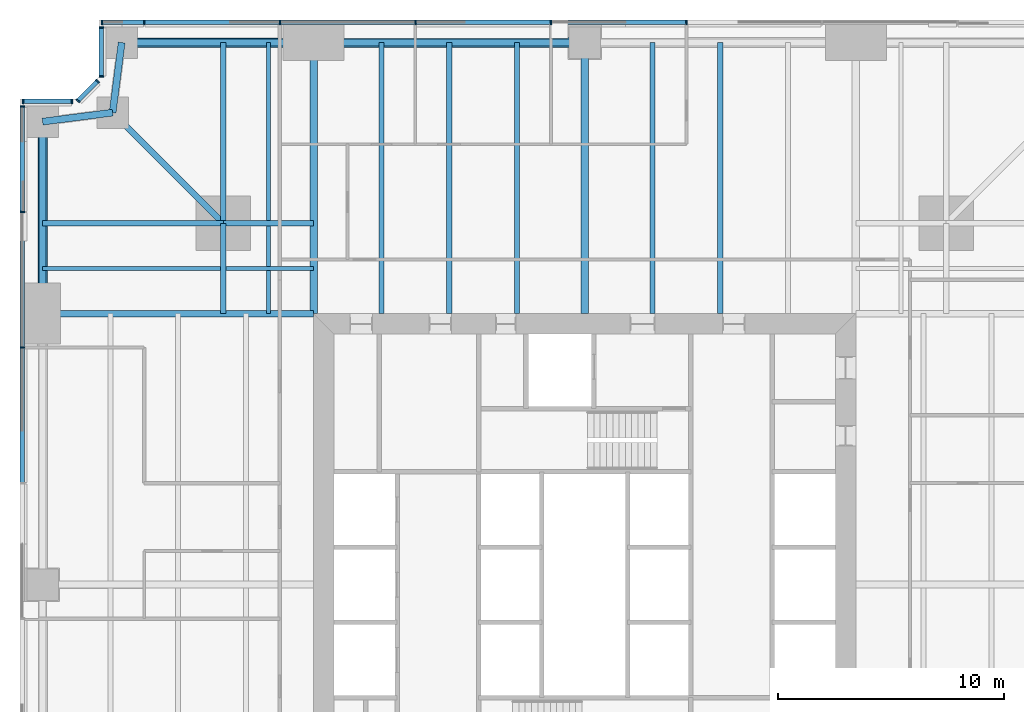
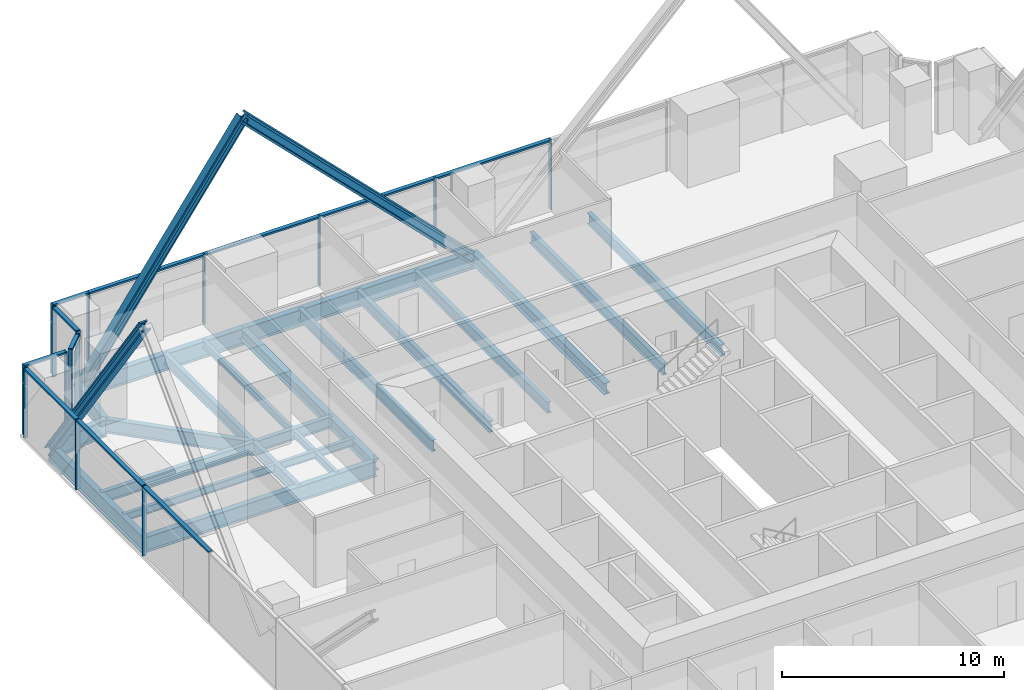
# One storey, part 6 of 13: 29 members, 23 beams, 5 elements without a shape of their own.
"""IFC4 building model written with IfcOpenShell, lengths in metres."""

from ifc_helpers import new_model, si_unit, direction, frame, origin, origin_2d, place, context, subcontext, project, spatial, rectangle, i_section, extrude, material, material_profile, profile_set, type_object, element, aggregate, save


model = new_model("IFC4")

# Units and contexts
model_context = context("Model", 3, precision=1e-05, world=origin(), true_north=direction((0.0, 1.0)))
body_context = subcontext(model_context, "Body", "Model", "MODEL_VIEW")
ifc_project = project(units=[si_unit("LENGTHUNIT", "METRE"), si_unit("AREAUNIT", "SQUARE_METRE"), si_unit("VOLUMEUNIT", "CUBIC_METRE"), si_unit("PLANEANGLEUNIT", "RADIAN"), si_unit("MASSUNIT", "GRAM", prefix="KILO")], contexts=[model_context])

# Site, building, storey
site_placement = place(None, origin())
site = spatial("IfcSite", under=ifc_project, at=site_placement, CompositionType="ELEMENT")
building_placement = place(site_placement, origin())
building = spatial("IfcBuilding", under=site, at=building_placement, Name="Fenwick Lantern Interchange", CompositionType="ELEMENT")
storey_placement = place(building_placement, frame((0.0, 0.0, 67.0)))
storey = spatial("IfcBuildingStorey", under=building, at=storey_placement, Name="L15", CompositionType="ELEMENT", Elevation=67.0)

# Beams
ifc_material_1 = material(Name="Steel ASTM A992 Grade 50", Category="steel")
ifc_material_profile_1 = material_profile(ifc_material_1, i_section(OverallWidth=0.3046875, OverallDepth=0.911865234375, WebThickness=0.015869140625, FlangeThickness=0.02392578125, at=origin_2d()), Name="W36X150")
ifc_profile_set_1 = profile_set([ifc_material_profile_1], Name="Steel ASTM A992 Grade 50")
beam_type_1 = type_object("IfcBeamType", Name="EDGE BEAM W36X150", PredefinedType="SPANDREL", material=ifc_profile_set_1)
beam_1_placement = place(storey_placement, frame((25.0, 49.0, -0.60595703125), z_axis=(-1.0, 0.0, 0.0), x_axis=(0.0, -1.0, 0.0)))
element("IfcBeam", 1, at=beam_1_placement, inside=storey, type_object=beam_type_1, Name="L15/FR/N/EB3", PredefinedType="SPANDREL", context=body_context, shape_type="SweptSolid", body=[
    extrude(i_section(OverallWidth=0.3046875, OverallDepth=0.911865234375, WebThickness=0.015869140625, FlangeThickness=0.02392578125, at=origin_2d()), origin(), (0.0, 0.0, 1.0), 12.0),
])
beam_2_placement = place(storey_placement, frame((13.0, 49.0, -0.60595703125), z_axis=(-1.0, 0.0, 0.0), x_axis=(0.0, -1.0, 0.0)))
element("IfcBeam", 2, at=beam_2_placement, inside=storey, type_object=beam_type_1, Name="L15/FR/N/EB4", PredefinedType="SPANDREL", context=body_context, shape_type="SweptSolid", body=[
    extrude(i_section(OverallWidth=0.3046875, OverallDepth=0.911865234375, WebThickness=0.015869140625, FlangeThickness=0.02392578125, at=origin_2d()), origin(), (0.0, 0.0, 1.0), 8.5),
])
for number, where, z_axis, x_axis, name in (
    (3, (4.5, 49.0, -0.60595703125), (-0.127936641807, -0.991782342897, 0.0), (0.991782342897, -0.127936641807, 0.0), "L15/FR/N/EBR1"),
    (4, (4.10009765625, 45.89990234375, -0.60595703125), (-0.991782342897, -0.127936641807, 0.0), (0.127936641807, -0.991782342897, 0.0), "L15/FR/N/EBR2"),
):
    element("IfcBeam", number, at=place(storey_placement, frame(where, z_axis=z_axis, x_axis=x_axis)), inside=storey, type_object=beam_type_1, Name=name, PredefinedType="SPANDREL", context=body_context, shape_type="SweptSolid", body=[
        extrude(i_section(OverallWidth=0.3046875, OverallDepth=0.911865234375, WebThickness=0.015869140625, FlangeThickness=0.02392578125, at=origin_2d()), origin(), (0.0, 0.0, 1.0), 3.125732421875),
    ])
beam_3_placement = place(storey_placement, frame((1.0, 45.5, -0.60595703125), z_axis=(0.0, -1.0, 0.0), x_axis=(1.0, 0.0, 0.0)))
element("IfcBeam", 5, at=beam_3_placement, inside=storey, type_object=beam_type_1, Name="L15/FR/W/EB1", PredefinedType="SPANDREL", context=body_context, shape_type="SweptSolid", body=[
    extrude(i_section(OverallWidth=0.3046875, OverallDepth=0.911865234375, WebThickness=0.015869140625, FlangeThickness=0.02392578125, at=origin_2d()), origin(), (0.0, 0.0, 1.0), 8.5),
])

# Members
ifc_material_profile_2 = material_profile(ifc_material_1, i_section(OverallWidth=0.424072265625, OverallDepth=0.47509765625, WebThickness=0.0478515625, FlangeThickness=0.0771484375, at=origin_2d()), Name="W14X426")
ifc_profile_set_2 = profile_set([ifc_material_profile_2], Name="Steel ASTM A992 Grade 50")
member_type_1 = type_object("IfcMemberType", Name="FACADE BRACE W14X426", PredefinedType="BRACE", material=ifc_profile_set_2)
for number, where, z_axis, x_axis, name in (
    (6, (4.5, 49.0, -0.60595703125), (0.57801734078, 0.0, 0.816024481102), (0.0, 1.0, 0.0), "L15/FB/N/BE"),
    (7, (1.0, 45.5, -0.60595703125), (0.0, -0.57801734078, 0.816024481102), (1.0, 0.0, 0.0), "L15/FB/W/AE"),
):
    element("IfcMember", number, at=place(storey_placement, frame(where, z_axis=z_axis, x_axis=x_axis)), inside=storey, type_object=member_type_1, Name=name, PredefinedType="BRACE", context=body_context, shape_type="SweptSolid", body=[
        extrude(i_section(OverallWidth=0.424072265625, OverallDepth=0.47509765625, WebThickness=0.0478515625, FlangeThickness=0.0771484375, at=origin_2d()), origin(), (0.0, 0.0, 1.0), 14.705322265625),
    ])
ifc_material_profile_3 = material_profile(ifc_material_1, i_section(OverallWidth=0.44189453125, OverallDepth=0.53076171875, WebThickness=0.06591796875, FlangeThickness=0.105712890625, at=origin_2d()), Name="W14X605")
ifc_profile_set_3 = profile_set([ifc_material_profile_3], Name="Steel ASTM A992 Grade 50")
member_type_2 = type_object("IfcMemberType", Name="FACADE BRACE W14X605", PredefinedType="BRACE", material=ifc_profile_set_3)
member_1_placement = place(storey_placement, frame((25.0, 49.0, -0.60595703125), z_axis=(-0.707106781187, 0.0, 0.707106781187), x_axis=(0.0, -1.0, 0.0)))
element("IfcMember", 8, at=member_1_placement, inside=storey, type_object=member_type_2, Name="L15/FB/N/B", PredefinedType="BRACE", context=body_context, shape_type="SweptSolid", body=[
    extrude(i_section(OverallWidth=0.44189453125, OverallDepth=0.53076171875, WebThickness=0.06591796875, FlangeThickness=0.105712890625, at=origin_2d()), origin(), (0.0, 0.0, 1.0), 16.970458984375),
])

# Beams
ifc_material_profile_4 = material_profile(ifc_material_1, i_section(OverallWidth=0.22900390625, OverallDepth=0.612060546875, WebThickness=0.011962890625, FlangeThickness=0.01953125, at=origin_2d()), Name="W24X84")
ifc_profile_set_4 = profile_set([ifc_material_profile_4], Name="Steel ASTM A992 Grade 50")
beam_type_2 = type_object("IfcBeamType", Name="FLOOR BEAM W24X84", PredefinedType="BEAM", material=ifc_profile_set_4)
for number, where, z_axis, x_axis, name in (
    (9, (31.0, 49.0, -0.4560546875), (0.0, -1.0, 0.0), (1.0, 0.0, 0.0), "L15/FR/N/R03"),
    (10, (28.0, 49.0, -0.4560546875), (0.0, -1.0, 0.0), (1.0, 0.0, 0.0), "L15/FR/N/R04"),
    (11, (22.0, 49.0, -0.4560546875), (0.0, -1.0, 0.0), (1.0, 0.0, 0.0), "L15/FR/N/R06"),
    (12, (19.0, 49.0, -0.4560546875), (0.0, -1.0, 0.0), (1.0, 0.0, 0.0), "L15/FR/N/R07"),
    (13, (16.0, 49.0, -0.4560546875), (0.0, -1.0, 0.0), (1.0, 0.0, 0.0), "L15/FR/N/R08"),
):
    element("IfcBeam", number, at=place(storey_placement, frame(where, z_axis=z_axis, x_axis=x_axis)), inside=storey, type_object=beam_type_2, Name=name, PredefinedType="BEAM", context=body_context, shape_type="SweptSolid", body=[
        extrude(i_section(OverallWidth=0.22900390625, OverallDepth=0.612060546875, WebThickness=0.011962890625, FlangeThickness=0.01953125, at=origin_2d()), origin(), (0.0, 0.0, 1.0), 12.0),
    ])
ifc_material_profile_5 = material_profile(ifc_material_1, i_section(OverallWidth=0.177734375, OverallDepth=0.406494140625, WebThickness=0.0078125, FlangeThickness=0.012939453125, at=origin_2d()), Name="W16X40")
ifc_profile_set_5 = profile_set([ifc_material_profile_5], Name="Steel ASTM A992 Grade 50")
beam_type_3 = type_object("IfcBeamType", Name="INFILL BEAM W16X40", PredefinedType="JOIST", material=ifc_profile_set_5)
beam_4_placement = place(storey_placement, frame((1.0, 39.0, -0.353271484375), z_axis=(1.0, 0.0, 0.0), x_axis=(0.0, 1.0, 0.0)))
element("IfcBeam", 14, at=beam_4_placement, inside=storey, type_object=beam_type_3, Name="L15/FR/W/J1", PredefinedType="JOIST", context=body_context, shape_type="SweptSolid", body=[
    extrude(i_section(OverallWidth=0.177734375, OverallDepth=0.406494140625, WebThickness=0.0078125, FlangeThickness=0.012939453125, at=origin_2d()), origin(), (0.0, 0.0, 1.0), 7.885498046875),
])
beam_5_placement = place(storey_placement, frame((9.114501953125, 39.0, -0.353271484375), z_axis=(1.0, 0.0, 0.0), x_axis=(0.0, 1.0, 0.0)))
element("IfcBeam", 15, at=beam_5_placement, inside=storey, type_object=beam_type_3, Name="L15/FR/W/J2", PredefinedType="JOIST", context=body_context, shape_type="SweptSolid", body=[
    extrude(i_section(OverallWidth=0.177734375, OverallDepth=0.406494140625, WebThickness=0.0078125, FlangeThickness=0.012939453125, at=origin_2d()), origin(), (0.0, 0.0, 1.0), 3.885498046875),
])
beam_6_placement = place(storey_placement, frame((11.0, 49.0, -0.353271484375), z_axis=(0.0, -1.0, 0.0), x_axis=(1.0, 0.0, 0.0)))
element("IfcBeam", 16, at=beam_6_placement, inside=storey, type_object=beam_type_3, Name="L15/FR/W/J3", PredefinedType="JOIST", context=body_context, shape_type="SweptSolid", body=[
    extrude(i_section(OverallWidth=0.177734375, OverallDepth=0.406494140625, WebThickness=0.0078125, FlangeThickness=0.012939453125, at=origin_2d()), origin(), (0.0, 0.0, 1.0), 7.885498046875),
])
beam_7_placement = place(storey_placement, frame((11.0, 40.885498046875, -0.353271484375), z_axis=(0.0, -1.0, 0.0), x_axis=(1.0, 0.0, 0.0)))
element("IfcBeam", 17, at=beam_7_placement, inside=storey, type_object=beam_type_3, Name="L15/FR/W/J4", PredefinedType="JOIST", context=body_context, shape_type="SweptSolid", body=[
    extrude(i_section(OverallWidth=0.177734375, OverallDepth=0.406494140625, WebThickness=0.0078125, FlangeThickness=0.012939453125, at=origin_2d()), origin(), (0.0, 0.0, 1.0), 1.796630859375),
])
beam_8_placement = place(storey_placement, frame((11.0, 38.9111328125, -0.353271484375), z_axis=(0.0, -1.0, 0.0), x_axis=(1.0, 0.0, 0.0)))
element("IfcBeam", 18, at=beam_8_placement, inside=storey, type_object=beam_type_3, Name="L15/FR/W/J5", PredefinedType="JOIST", context=body_context, shape_type="SweptSolid", body=[
    extrude(i_section(OverallWidth=0.177734375, OverallDepth=0.406494140625, WebThickness=0.0078125, FlangeThickness=0.012939453125, at=origin_2d()), origin(), (0.0, 0.0, 1.0), 1.9111328125),
])
ifc_material_profile_6 = material_profile(ifc_material_1, i_section(OverallWidth=0.22900390625, OverallDepth=0.612060546875, WebThickness=0.011962890625, FlangeThickness=0.01953125, at=origin_2d()), Name="W24X84")
ifc_profile_set_6 = profile_set([ifc_material_profile_6], Name="Steel ASTM A992 Grade 50")
beam_type_4 = type_object("IfcBeamType", Name="MEGA COLUMN BEAM W24X84", PredefinedType="BEAM", material=ifc_profile_set_6)
for number, where, z_axis, x_axis, name in (
    (19, (9.0, 41.0, -0.4560546875), (-1.0, 0.0, 0.0), (0.0, -1.0, 0.0), "L15/FR/W/MB1"),
    (20, (9.0, 41.0, -0.4560546875), (0.0, 1.0, 0.0), (-1.0, 0.0, 0.0), "L15/FR/W/MB2"),
):
    element("IfcBeam", number, at=place(storey_placement, frame(where, z_axis=z_axis, x_axis=x_axis)), inside=storey, type_object=beam_type_4, Name=name, PredefinedType="BEAM", context=body_context, shape_type="SweptSolid", body=[
        extrude(i_section(OverallWidth=0.22900390625, OverallDepth=0.612060546875, WebThickness=0.011962890625, FlangeThickness=0.01953125, at=origin_2d()), origin(), (0.0, 0.0, 1.0), 8.0),
    ])
for number, where, z_axis, x_axis, name in (
    (21, (9.0, 41.0, -0.4560546875), (0.0, -1.0, 0.0), (1.0, 0.0, 0.0), "L15/FR/W/MB3"),
    (22, (9.0, 41.0, -0.4560546875), (1.0, 0.0, 0.0), (0.0, 1.0, 0.0), "L15/FR/W/MB4"),
):
    element("IfcBeam", number, at=place(storey_placement, frame(where, z_axis=z_axis, x_axis=x_axis)), inside=storey, type_object=beam_type_4, Name=name, PredefinedType="BEAM", context=body_context, shape_type="SweptSolid", body=[
        extrude(i_section(OverallWidth=0.22900390625, OverallDepth=0.612060546875, WebThickness=0.011962890625, FlangeThickness=0.01953125, at=origin_2d()), origin(), (0.0, 0.0, 1.0), 4.0),
    ])
ifc_material_profile_7 = material_profile(ifc_material_1, i_section(OverallWidth=0.32763671875, OverallDepth=0.622314453125, WebThickness=0.015380859375, FlangeThickness=0.0244140625, at=origin_2d()), Name="W24X131")
ifc_profile_set_7 = profile_set([ifc_material_profile_7], Name="Steel ASTM A992 Grade 50")
beam_type_5 = type_object("IfcBeamType", Name="MOMENT-CONNECTED GIRDER W24X131", PredefinedType="BEAM", material=ifc_profile_set_7)
for number, where, z_axis, x_axis, name in (
    (23, (25.0, 49.0, -0.461181640625), (0.0, -1.0, 0.0), (1.0, 0.0, 0.0), "L15/FR/N/R05"),
    (24, (13.0, 49.0, -0.461181640625), (0.0, -1.0, 0.0), (1.0, 0.0, 0.0), "L15/FR/N/R09"),
):
    element("IfcBeam", number, at=place(storey_placement, frame(where, z_axis=z_axis, x_axis=x_axis)), inside=storey, type_object=beam_type_5, Name=name, PredefinedType="BEAM", context=body_context, shape_type="SweptSolid", body=[
        extrude(i_section(OverallWidth=0.32763671875, OverallDepth=0.622314453125, WebThickness=0.015380859375, FlangeThickness=0.0244140625, at=origin_2d()), origin(), (0.0, 0.0, 1.0), 12.0),
    ])
ifc_material_profile_8 = material_profile(ifc_material_1, i_section(OverallWidth=0.2919921875, OverallDepth=0.845703125, WebThickness=0.015380859375, FlangeThickness=0.0244140625, at=origin_2d()), Name="W33X141")
ifc_profile_set_8 = profile_set([ifc_material_profile_8], Name="Steel ASTM A992 Grade 50")
beam_type_6 = type_object("IfcBeamType", Name="MOMENT-CONNECTED GIRDER W33X141", PredefinedType="BEAM", material=ifc_profile_set_8)
beam_9_placement = place(storey_placement, frame((1.0, 37.0, -0.572998046875), z_axis=(1.0, 0.0, 0.0), x_axis=(0.0, 1.0, 0.0)))
element("IfcBeam", 25, at=beam_9_placement, inside=storey, type_object=beam_type_6, Name="L15/FR/W/R01", PredefinedType="BEAM", context=body_context, shape_type="SweptSolid", body=[
    extrude(i_section(OverallWidth=0.2919921875, OverallDepth=0.845703125, WebThickness=0.015380859375, FlangeThickness=0.0244140625, at=origin_2d()), origin(), (0.0, 0.0, 1.0), 12.0),
])
ifc_material_profile_9 = material_profile(ifc_material_1, i_section(OverallWidth=0.2666015625, OverallDepth=0.7568359375, WebThickness=0.013916015625, FlangeThickness=0.019287109375, at=origin_2d()), Name="W30X108")
ifc_profile_set_9 = profile_set([ifc_material_profile_9], Name="Steel ASTM A992 Grade 50")
beam_type_7 = type_object("IfcBeamType", Name="NOTCH BEAM W30X108", PredefinedType="BEAM", material=ifc_profile_set_9)
beam_10_placement = place(storey_placement, frame((9.0, 41.0, -0.528564453125), z_axis=(-0.707106781187, 0.707106781187, 0.0), x_axis=(-0.707106781187, -0.707106781187, 0.0)))
element("IfcBeam", 26, at=beam_10_placement, inside=storey, type_object=beam_type_7, Name="L15/FR/W/TG", PredefinedType="BEAM", context=body_context, shape_type="SweptSolid", body=[
    extrude(i_section(OverallWidth=0.2666015625, OverallDepth=0.7568359375, WebThickness=0.013916015625, FlangeThickness=0.019287109375, at=origin_2d()), origin(), (0.0, 0.0, 1.0), 6.929443359375),
])

# Curtain wall, members
ifc_material_2 = material(Name="Aluminium curtain wall frame", Category="aluminium")
curtain_wall_type = type_object("IfcCurtainWallType", Name="OFFICE CURTAIN WALL", PredefinedType="USERDEFINED", material=ifc_material_2)
curtain_wall_1_placement = place(storey_placement, origin())
curtain_wall_1 = element("IfcCurtainWall", 27, at=curtain_wall_1_placement, inside=storey, type_object=curtain_wall_type, Name="Office curtain wall 09", ObjectType="OFFICE CURTAIN WALL", PredefinedType="USERDEFINED")
ifc_material_3 = material(Name="Aluminium extrusion", Category="aluminium")
ifc_material_profile_10 = material_profile(ifc_material_3, rectangle(XDim=0.199951171875, YDim=0.06494140625, at=origin_2d()), Name="OFFICE CURTAIN WALL MULLION 65 X 200")
ifc_profile_set_10 = profile_set([ifc_material_profile_10], Name="Aluminium extrusion")
member_type_3 = type_object("IfcMemberType", Name="OFFICE CURTAIN WALL MULLION 65 X 200", PredefinedType="MULLION", material=ifc_profile_set_10)
member_2_placement = place(storey_placement, frame((29.5, 49.89990234375, 0.0), z_axis=(0.0, 0.0, 1.0), x_axis=(0.0, -1.0, 0.0)))
member_2 = element("IfcMember", 28, at=member_2_placement, type_object=member_type_3, Name="L15/CW/09/M03", PredefinedType="MULLION", context=body_context, shape_type="SweptSolid", body=[
    extrude(rectangle(XDim=0.199951171875, YDim=0.06494140625, at=origin_2d()), origin(), (0.0, 0.0, 1.0), 3.85009765625),
])
member_3_placement = place(storey_placement, frame((23.5, 49.89990234375, 0.0), z_axis=(0.0, 0.0, 1.0), x_axis=(0.0, -1.0, 0.0)))
member_3 = element("IfcMember", 29, at=member_3_placement, type_object=member_type_3, Name="L15/CW/09/M04", PredefinedType="MULLION", context=body_context, shape_type="SweptSolid", body=[
    extrude(rectangle(XDim=0.199951171875, YDim=0.06494140625, at=origin_2d()), origin(), (0.0, 0.0, 1.0), 3.85009765625),
])
member_4_placement = place(storey_placement, frame((17.5, 49.89990234375, 0.0), z_axis=(0.0, 0.0, 1.0), x_axis=(0.0, -1.0, 0.0)))
member_4 = element("IfcMember", 30, at=member_4_placement, type_object=member_type_3, Name="L15/CW/09/M05", PredefinedType="MULLION", context=body_context, shape_type="SweptSolid", body=[
    extrude(rectangle(XDim=0.199951171875, YDim=0.06494140625, at=origin_2d()), origin(), (0.0, 0.0, 1.0), 3.85009765625),
])
member_5_placement = place(storey_placement, frame((11.5, 49.89990234375, 0.0), z_axis=(0.0, 0.0, 1.0), x_axis=(0.0, -1.0, 0.0)))
member_5 = element("IfcMember", 31, at=member_5_placement, type_object=member_type_3, Name="L15/CW/09/M06", PredefinedType="MULLION", context=body_context, shape_type="SweptSolid", body=[
    extrude(rectangle(XDim=0.199951171875, YDim=0.06494140625, at=origin_2d()), origin(), (0.0, 0.0, 1.0), 3.85009765625),
])
member_6_placement = place(storey_placement, frame((5.5, 49.89990234375, 0.0), z_axis=(0.0, 0.0, 1.0), x_axis=(0.0, -1.0, 0.0)))
member_6 = element("IfcMember", 32, at=member_6_placement, type_object=member_type_3, Name="L15/CW/09/M07", PredefinedType="MULLION", context=body_context, shape_type="SweptSolid", body=[
    extrude(rectangle(XDim=0.199951171875, YDim=0.06494140625, at=origin_2d()), origin(), (0.0, 0.0, 1.0), 3.85009765625),
])
member_7_placement = place(storey_placement, frame((3.632568359375, 49.89990234375, 0.0), z_axis=(0.0, 0.0, 1.0), x_axis=(0.0, -1.0, 0.0)))
member_7 = element("IfcMember", 33, at=member_7_placement, type_object=member_type_3, Name="L15/CW/09/M08", PredefinedType="MULLION", context=body_context, shape_type="SweptSolid", body=[
    extrude(rectangle(XDim=0.199951171875, YDim=0.06494140625, at=origin_2d()), origin(), (0.0, 0.0, 1.0), 3.85009765625),
])

curtain_wall_2_placement = place(storey_placement, origin())
curtain_wall_2 = element("IfcCurtainWall", 34, at=curtain_wall_2_placement, inside=storey, type_object=curtain_wall_type, Name="Office curtain wall 10", ObjectType="OFFICE CURTAIN WALL", PredefinedType="USERDEFINED")
member_8_placement = place(storey_placement, frame((3.60009765625, 49.66748046875, 0.0), z_axis=(0.0, 0.0, 1.0), x_axis=(1.0, 0.0, 0.0)))
member_8 = element("IfcMember", 35, at=member_8_placement, type_object=member_type_3, Name="L15/CW/10/M00", PredefinedType="MULLION", context=body_context, shape_type="SweptSolid", body=[
    extrude(rectangle(XDim=0.199951171875, YDim=0.06494140625, at=origin_2d()), origin(), (0.0, 0.0, 1.0), 3.85009765625),
])
member_9_placement = place(storey_placement, frame((3.60009765625, 47.490966796875, 0.0), z_axis=(0.0, 0.0, 1.0), x_axis=(1.0, 0.0, 0.0)))
member_9 = element("IfcMember", 36, at=member_9_placement, type_object=member_type_3, Name="L15/CW/10/M01", PredefinedType="MULLION", context=body_context, shape_type="SweptSolid", body=[
    extrude(rectangle(XDim=0.199951171875, YDim=0.06494140625, at=origin_2d()), origin(), (0.0, 0.0, 1.0), 3.85009765625),
])

curtain_wall_3_placement = place(storey_placement, origin())
curtain_wall_3 = element("IfcCurtainWall", 37, at=curtain_wall_3_placement, inside=storey, type_object=curtain_wall_type, Name="Office curtain wall 11", ObjectType="OFFICE CURTAIN WALL", PredefinedType="USERDEFINED")
member_10_placement = place(storey_placement, frame((3.435546875, 47.294189453125, 0.0), z_axis=(0.0, 0.0, 1.0), x_axis=(0.707106781187, -0.707106781187, 0.0)))
member_10 = element("IfcMember", 38, at=member_10_placement, type_object=member_type_3, Name="L15/CW/11/M00", PredefinedType="MULLION", context=body_context, shape_type="SweptSolid", body=[
    extrude(rectangle(XDim=0.199951171875, YDim=0.06494140625, at=origin_2d()), origin(), (0.0, 0.0, 1.0), 3.85009765625),
])
member_11_placement = place(storey_placement, frame((2.564453125, 46.423095703125, 0.0), z_axis=(0.0, 0.0, 1.0), x_axis=(0.707106781187, -0.707106781187, 0.0)))
member_11 = element("IfcMember", 39, at=member_11_placement, type_object=member_type_3, Name="L15/CW/11/M01", PredefinedType="MULLION", context=body_context, shape_type="SweptSolid", body=[
    extrude(rectangle(XDim=0.199951171875, YDim=0.06494140625, at=origin_2d()), origin(), (0.0, 0.0, 1.0), 3.85009765625),
])

curtain_wall_4_placement = place(storey_placement, origin())
curtain_wall_4 = element("IfcCurtainWall", 40, at=curtain_wall_4_placement, inside=storey, type_object=curtain_wall_type, Name="Office curtain wall 12", ObjectType="OFFICE CURTAIN WALL", PredefinedType="USERDEFINED")
member_12_placement = place(storey_placement, frame((2.308837890625, 46.39990234375, 0.0), z_axis=(0.0, 0.0, 1.0), x_axis=(0.0, -1.0, 0.0)))
member_12 = element("IfcMember", 41, at=member_12_placement, type_object=member_type_3, Name="L15/CW/12/M00", PredefinedType="MULLION", context=body_context, shape_type="SweptSolid", body=[
    extrude(rectangle(XDim=0.199951171875, YDim=0.06494140625, at=origin_2d()), origin(), (0.0, 0.0, 1.0), 3.85009765625),
])
member_13_placement = place(storey_placement, frame((0.132568359375, 46.39990234375, 0.0), z_axis=(0.0, 0.0, 1.0), x_axis=(0.0, -1.0, 0.0)))
member_13 = element("IfcMember", 42, at=member_13_placement, type_object=member_type_3, Name="L15/CW/12/M01", PredefinedType="MULLION", context=body_context, shape_type="SweptSolid", body=[
    extrude(rectangle(XDim=0.199951171875, YDim=0.06494140625, at=origin_2d()), origin(), (0.0, 0.0, 1.0), 3.85009765625),
])

curtain_wall_5_placement = place(storey_placement, origin())
curtain_wall_5 = element("IfcCurtainWall", 43, at=curtain_wall_5_placement, inside=storey, type_object=curtain_wall_type, Name="Office curtain wall 13", ObjectType="OFFICE CURTAIN WALL", PredefinedType="USERDEFINED")
member_14_placement = place(storey_placement, frame((0.10009765625, 46.16748046875, 0.0), z_axis=(0.0, 0.0, 1.0), x_axis=(1.0, 0.0, 0.0)))
member_14 = element("IfcMember", 44, at=member_14_placement, type_object=member_type_3, Name="L15/CW/13/M00", PredefinedType="MULLION", context=body_context, shape_type="SweptSolid", body=[
    extrude(rectangle(XDim=0.199951171875, YDim=0.06494140625, at=origin_2d()), origin(), (0.0, 0.0, 1.0), 3.85009765625),
])
member_15_placement = place(storey_placement, frame((0.10009765625, 41.5, 0.0), z_axis=(0.0, 0.0, 1.0), x_axis=(1.0, 0.0, 0.0)))
member_15 = element("IfcMember", 45, at=member_15_placement, type_object=member_type_3, Name="L15/CW/13/M01", PredefinedType="MULLION", context=body_context, shape_type="SweptSolid", body=[
    extrude(rectangle(XDim=0.199951171875, YDim=0.06494140625, at=origin_2d()), origin(), (0.0, 0.0, 1.0), 3.85009765625),
])
member_16_placement = place(storey_placement, frame((0.10009765625, 35.5, 0.0), z_axis=(0.0, 0.0, 1.0), x_axis=(1.0, 0.0, 0.0)))
member_16 = element("IfcMember", 46, at=member_16_placement, type_object=member_type_3, Name="L15/CW/13/M02", PredefinedType="MULLION", context=body_context, shape_type="SweptSolid", body=[
    extrude(rectangle(XDim=0.199951171875, YDim=0.06494140625, at=origin_2d()), origin(), (0.0, 0.0, 1.0), 3.85009765625),
])

# Member
ifc_material_profile_11 = material_profile(ifc_material_3, rectangle(XDim=0.199951171875, YDim=0.10009765625, at=origin_2d()), Name="OFFICE CURTAIN WALL TRANSOM 100 X 200")
ifc_profile_set_11 = profile_set([ifc_material_profile_11], Name="Aluminium extrusion")
member_type_4 = type_object("IfcMemberType", Name="OFFICE CURTAIN WALL TRANSOM 100 X 200", PredefinedType="MULLION", material=ifc_profile_set_11)
member_17_placement = place(storey_placement, frame((29.467529296875, 49.89990234375, 3.800048828125), z_axis=(-1.0, 0.0, 0.0), x_axis=(0.0, -1.0, 0.0)))
member_17 = element("IfcMember", 47, at=member_17_placement, type_object=member_type_4, Name="L15/CW/09/T03", PredefinedType="MULLION", context=body_context, shape_type="SweptSolid", body=[
    extrude(rectangle(XDim=0.199951171875, YDim=0.10009765625, at=origin_2d()), origin(), (0.0, 0.0, 1.0), 5.93505859375),
])

member_18_placement = place(storey_placement, frame((23.467529296875, 49.89990234375, 3.800048828125), z_axis=(-1.0, 0.0, 0.0), x_axis=(0.0, -1.0, 0.0)))
member_18 = element("IfcMember", 48, at=member_18_placement, type_object=member_type_4, Name="L15/CW/09/T04", PredefinedType="MULLION", context=body_context, shape_type="SweptSolid", body=[
    extrude(rectangle(XDim=0.199951171875, YDim=0.10009765625, at=origin_2d()), origin(), (0.0, 0.0, 1.0), 5.93505859375),
])

member_19_placement = place(storey_placement, frame((17.467529296875, 49.89990234375, 3.800048828125), z_axis=(-1.0, 0.0, 0.0), x_axis=(0.0, -1.0, 0.0)))
member_19 = element("IfcMember", 49, at=member_19_placement, type_object=member_type_4, Name="L15/CW/09/T05", PredefinedType="MULLION", context=body_context, shape_type="SweptSolid", body=[
    extrude(rectangle(XDim=0.199951171875, YDim=0.10009765625, at=origin_2d()), origin(), (0.0, 0.0, 1.0), 5.93505859375),
])

member_20_placement = place(storey_placement, frame((11.467529296875, 49.89990234375, 3.800048828125), z_axis=(-1.0, 0.0, 0.0), x_axis=(0.0, -1.0, 0.0)))
member_20 = element("IfcMember", 50, at=member_20_placement, type_object=member_type_4, Name="L15/CW/09/T06", PredefinedType="MULLION", context=body_context, shape_type="SweptSolid", body=[
    extrude(rectangle(XDim=0.199951171875, YDim=0.10009765625, at=origin_2d()), origin(), (0.0, 0.0, 1.0), 5.93505859375),
])

member_21_placement = place(storey_placement, frame((5.467529296875, 49.89990234375, 3.800048828125), z_axis=(-1.0, 0.0, 0.0), x_axis=(0.0, -1.0, 0.0)))
member_21 = element("IfcMember", 51, at=member_21_placement, type_object=member_type_4, Name="L15/CW/09/T07", PredefinedType="MULLION", context=body_context, shape_type="SweptSolid", body=[
    extrude(rectangle(XDim=0.199951171875, YDim=0.10009765625, at=origin_2d()), origin(), (0.0, 0.0, 1.0), 1.802490234375),
])

aggregate(curtain_wall_1, [member_2, member_3, member_4, member_5, member_6, member_7, member_17, member_18, member_19, member_20, member_21])

member_22_placement = place(storey_placement, frame((3.60009765625, 49.635009765625, 3.800048828125), z_axis=(0.0, -1.0, 0.0), x_axis=(1.0, 0.0, 0.0)))
member_22 = element("IfcMember", 52, at=member_22_placement, type_object=member_type_4, Name="L15/CW/10/T00", PredefinedType="MULLION", context=body_context, shape_type="SweptSolid", body=[
    extrude(rectangle(XDim=0.199951171875, YDim=0.10009765625, at=origin_2d()), origin(), (0.0, 0.0, 1.0), 2.111328125),
])

aggregate(curtain_wall_2, [member_8, member_9, member_22])

member_23_placement = place(storey_placement, frame((3.41259765625, 47.271240234375, 3.800048828125), z_axis=(-0.707106781187, -0.707106781187, 0.0), x_axis=(0.707106781187, -0.707106781187, 0.0)))
member_23 = element("IfcMember", 53, at=member_23_placement, type_object=member_type_4, Name="L15/CW/11/T00", PredefinedType="MULLION", context=body_context, shape_type="SweptSolid", body=[
    extrude(rectangle(XDim=0.199951171875, YDim=0.10009765625, at=origin_2d()), origin(), (0.0, 0.0, 1.0), 1.1669921875),
])

aggregate(curtain_wall_3, [member_10, member_11, member_23])

member_24_placement = place(storey_placement, frame((2.2763671875, 46.39990234375, 3.800048828125), z_axis=(-1.0, 0.0, 0.0), x_axis=(0.0, -1.0, 0.0)))
member_24 = element("IfcMember", 54, at=member_24_placement, type_object=member_type_4, Name="L15/CW/12/T00", PredefinedType="MULLION", context=body_context, shape_type="SweptSolid", body=[
    extrude(rectangle(XDim=0.199951171875, YDim=0.10009765625, at=origin_2d()), origin(), (0.0, 0.0, 1.0), 2.111328125),
])

aggregate(curtain_wall_4, [member_12, member_13, member_24])

member_25_placement = place(storey_placement, frame((0.10009765625, 46.135009765625, 3.800048828125), z_axis=(0.0, -1.0, 0.0), x_axis=(1.0, 0.0, 0.0)))
member_25 = element("IfcMember", 55, at=member_25_placement, type_object=member_type_4, Name="L15/CW/13/T00", PredefinedType="MULLION", context=body_context, shape_type="SweptSolid", body=[
    extrude(rectangle(XDim=0.199951171875, YDim=0.10009765625, at=origin_2d()), origin(), (0.0, 0.0, 1.0), 4.6025390625),
])

member_26_placement = place(storey_placement, frame((0.10009765625, 41.467529296875, 3.800048828125), z_axis=(0.0, -1.0, 0.0), x_axis=(1.0, 0.0, 0.0)))
member_26 = element("IfcMember", 56, at=member_26_placement, type_object=member_type_4, Name="L15/CW/13/T01", PredefinedType="MULLION", context=body_context, shape_type="SweptSolid", body=[
    extrude(rectangle(XDim=0.199951171875, YDim=0.10009765625, at=origin_2d()), origin(), (0.0, 0.0, 1.0), 5.93505859375),
])

member_27_placement = place(storey_placement, frame((0.10009765625, 35.467529296875, 3.800048828125), z_axis=(0.0, -1.0, 0.0), x_axis=(1.0, 0.0, 0.0)))
member_27 = element("IfcMember", 57, at=member_27_placement, type_object=member_type_4, Name="L15/CW/13/T02", PredefinedType="MULLION", context=body_context, shape_type="SweptSolid", body=[
    extrude(rectangle(XDim=0.199951171875, YDim=0.10009765625, at=origin_2d()), origin(), (0.0, 0.0, 1.0), 5.93505859375),
])

aggregate(curtain_wall_5, [member_14, member_15, member_16, member_25, member_26, member_27])

save(model, "model.ifc")
